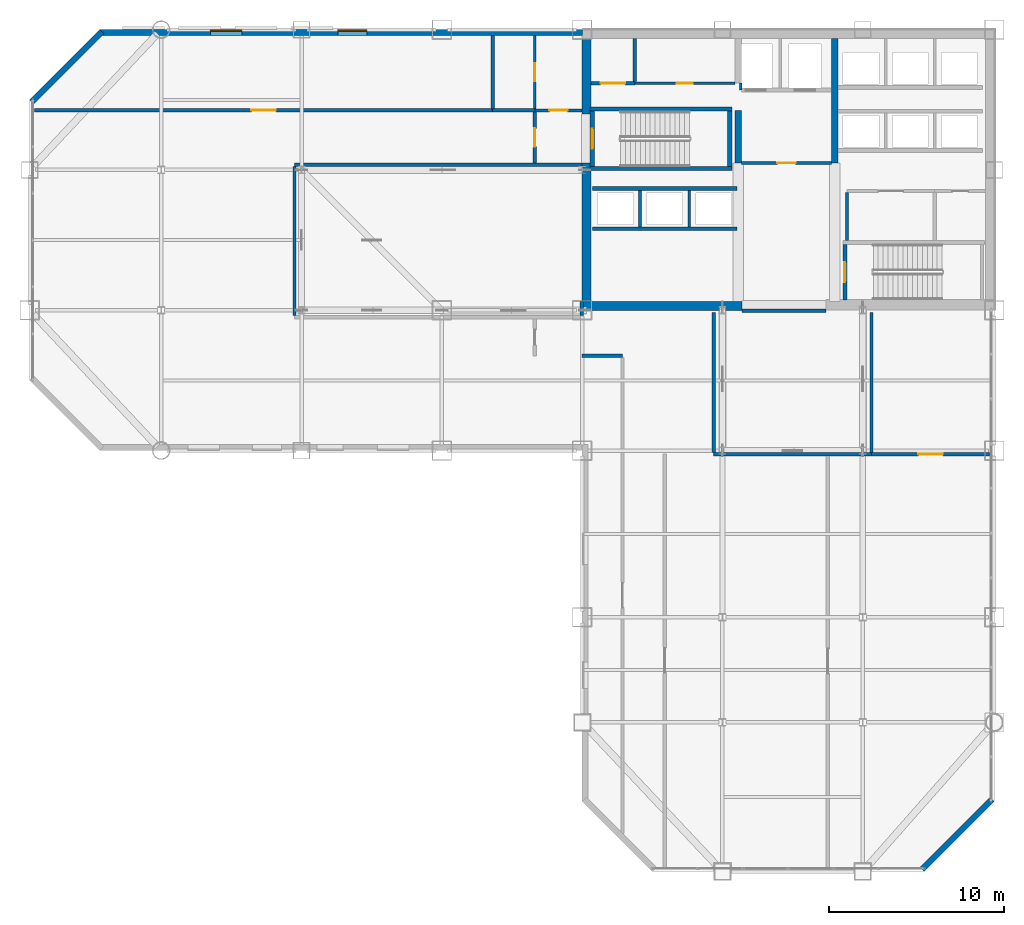
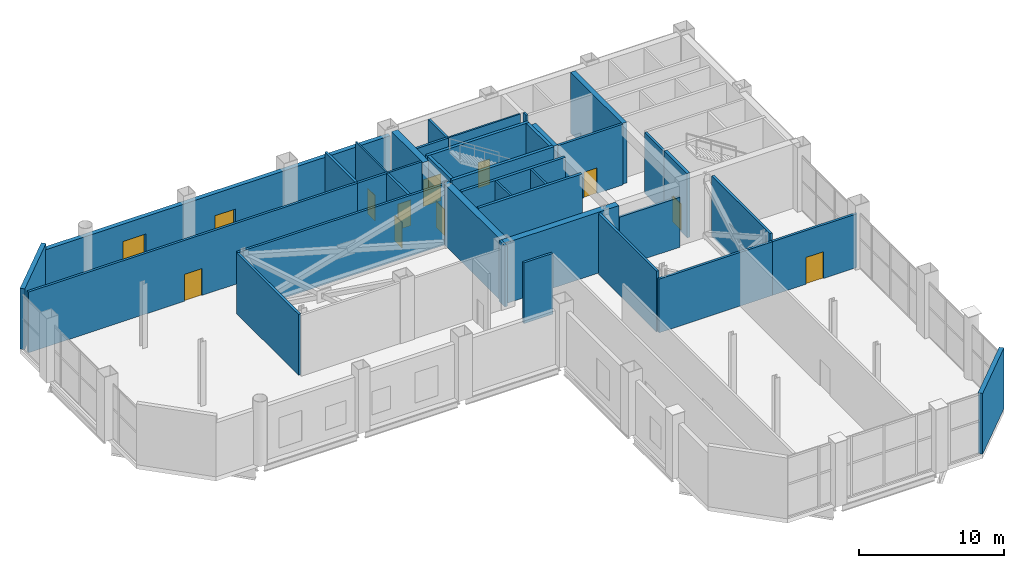
# One storey, part 21 of 24: 38 walls, 10 doors, 2 windows, 12 openings.
"""IFC4 building model written with IfcOpenShell, lengths in metres."""

from ifc_helpers import new_model, si_unit, direction, frame, frame_2d, origin, place, context, subcontext, project, spatial, rectangle, extrude, material, layer, layer_set, type_object, element, fill, save


model = new_model("IFC4")

# Units and contexts
model_context = context("Model", 3, precision=1e-05, world=origin(), true_north=direction((0.0, 1.0)))
body_context = subcontext(model_context, "Body", "Model", "MODEL_VIEW")
ifc_project = project(units=[si_unit("LENGTHUNIT", "METRE"), si_unit("AREAUNIT", "SQUARE_METRE"), si_unit("VOLUMEUNIT", "CUBIC_METRE"), si_unit("PLANEANGLEUNIT", "RADIAN"), si_unit("MASSUNIT", "GRAM", prefix="KILO")], contexts=[model_context])

# Site, building, storey
site_placement = place(None, origin())
site = spatial("IfcSite", under=ifc_project, at=site_placement, CompositionType="ELEMENT")
building_placement = place(site_placement, origin())
building = spatial("IfcBuilding", under=site, at=building_placement, Name="Qianrong Seaharbour Tower", CompositionType="ELEMENT")
storey_placement = place(building_placement, frame((0.0, 0.0, 195.0)))
storey = spatial("IfcBuildingStorey", under=building, at=storey_placement, Name="L47", CompositionType="ELEMENT", Elevation=195.0)

# Walls
ifc_material_1 = material(Name="Concrete C60/75", Category="concrete")
ifc_layer_1 = layer(ifc_material_1, 0.5)
ifc_layer_set_1 = layer_set([ifc_layer_1], Name="Concrete C60/75")
wall_type_1 = type_object("IfcWallType", Name="WALL-CORE-500", PredefinedType="SHEAR", material=ifc_layer_set_1)
wall_1_placement = place(storey_placement, frame((40.75, 36.5, 0.0), z_axis=(0.0, 0.0, 1.0), x_axis=(0.0, 1.0, 0.0)))
element("IfcWall", 1, at=wall_1_placement, inside=storey, type_object=wall_type_1, Name="L47 West Core Shear Wall South", PredefinedType="SHEAR", context=body_context, shape_type="SweptSolid", body=[
    extrude(rectangle(XDim=7.89990234375, YDim=0.5, at=frame_2d((3.949951171875, 0.0))), origin(), (0.0, 0.0, 1.0), 5.10009765625),
])
wall_2_placement = place(storey_placement, frame((40.75, 47.199951171875, 0.0), z_axis=(0.0, 0.0, 1.0), x_axis=(0.0, 1.0, 0.0)))
element("IfcWall", 2, at=wall_2_placement, inside=storey, type_object=wall_type_1, Name="L47 West Core Shear Wall North", PredefinedType="SHEAR", context=body_context, shape_type="SweptSolid", body=[
    extrude(rectangle(XDim=4.300048828125, YDim=0.5, at=frame_2d((2.14990234375, 0.0))), origin(), (0.0, 0.0, 1.0), 5.10009765625),
])
wall_3_placement = place(storey_placement, frame((40.5, 36.25, 0.0), z_axis=(0.0, 0.0, 1.0), x_axis=(1.0, 0.0, 0.0)))
element("IfcWall", 3, at=wall_3_placement, inside=storey, type_object=wall_type_1, Name="L47 South Core Shear Wall S1", PredefinedType="SHEAR", context=body_context, shape_type="SweptSolid", body=[
    extrude(rectangle(XDim=9.10009765625, YDim=0.5, at=frame_2d((4.550048828125, 0.0))), origin(), (0.0, 0.0, 1.0), 5.10009765625),
])
ifc_layer_2 = layer(ifc_material_1, 0.3798828125)
ifc_layer_set_2 = layer_set([ifc_layer_2], Name="Concrete C60/75")
wall_type_2 = type_object("IfcWallType", Name="WALL-CORE-INT-380", PredefinedType="SHEAR", material=ifc_layer_set_2)
wall_4_placement = place(storey_placement, frame((49.39990234375, 44.39990234375, 0.0), z_axis=(0.0, 0.0, 1.0), x_axis=(0.0, 1.0, 0.0)))
element("IfcWall", 4, at=wall_4_placement, inside=storey, type_object=wall_type_2, Name="L47 Internal Core Shear Wall IW1N1", PredefinedType="SHEAR", context=body_context, shape_type="SweptSolid", body=[
    extrude(rectangle(XDim=3.0, YDim=0.3798828125, at=frame_2d((1.5, 0.0))), origin(), (0.0, 0.0, 1.0), 5.10009765625),
])
wall_5_placement = place(storey_placement, frame((54.89990234375, 44.39990234375, 0.0), z_axis=(0.0, 0.0, 1.0), x_axis=(0.0, 1.0, 0.0)))
element("IfcWall", 5, at=wall_5_placement, inside=storey, type_object=wall_type_2, Name="L47 Internal Core Shear Wall IW2N", PredefinedType="SHEAR", context=body_context, shape_type="SweptSolid", body=[
    extrude(rectangle(XDim=7.10009765625, YDim=0.3798828125, at=frame_2d((3.550048828125, 0.0))), origin(), (0.0, 0.0, 1.0), 5.10009765625),
])

# Wall, opening, door
ifc_material_2 = material(Name="Fire-rated acoustic gypsum board partition")
ifc_layer_3 = layer(ifc_material_2, 0.1650390625)
ifc_layer_set_3 = layer_set([ifc_layer_3], Name="Fire-rated acoustic gypsum board partition")
wall_type_3 = type_object("IfcWallType", Name="WALL-CORR-PART-165", PredefinedType="PARTITIONING", material=ifc_layer_set_3)
wall_6_placement = place(storey_placement, frame((37.800048828125, 47.39990234375, 0.0), z_axis=(0.0, 0.0, 1.0), x_axis=(1.0, 0.0, 0.0)))
wall_6 = element("IfcWall", 6, at=wall_6_placement, inside=storey, type_object=wall_type_3, Name="L47 Interior Partition Wall 001", PredefinedType="PARTITIONING", context=body_context, shape_type="SweptSolid", body=[
    extrude(rectangle(XDim=2.699951171875, YDim=0.1650390625, at=frame_2d((1.35009765625, 0.0))), origin(), (0.0, 0.0, 1.0), 5.10009765625),
])
opening_1_placement = place(wall_6_placement, frame((0.824951171875, 0.0, 0.0)))
opening_1 = element("IfcOpeningElement", 7, at=opening_1_placement, cuts=wall_6, Name="Opening DC-01", PredefinedType="OPENING", context=body_context, shape_type="SweptSolid", body=[
    extrude(rectangle(XDim=1.050048828125, YDim=2.14990234375, at=frame_2d((0.52490234375, 1.074951171875))), frame((0.0, 0.092529296875, 0.0), z_axis=(0.0, -1.0, 0.0), x_axis=(1.0, 0.0, 0.0)), (0.0, 0.0, 1.0), 0.18505859375),
])
ifc_material_3 = material(Name="Acoustic timber and galvanized steel fire door assembly", Category="steel")
door_type_1 = type_object("IfcDoorType", Name="DOOR-CORR-FD60-1050x2150", OperationType="NOTDEFINED", PredefinedType="DOOR", material=ifc_material_3)
door_1_placement = place(opening_1_placement, origin())
door_1 = element("IfcDoor", 8, at=door_1_placement, inside=storey, type_object=door_type_1, Name="L47 Smokeproof Stair Vestibule ST-1 Door", OperationType="SINGLE_SWING_LEFT", OverallHeight=2.14990234375, OverallWidth=1.050048828125, PredefinedType="DOOR", context=body_context, shape_type="SweptSolid", body=[
    extrude(rectangle(XDim=1.050048828125, YDim=2.14990234375, at=frame_2d((0.52490234375, 1.074951171875))), frame((0.0, 0.02490234375, 0.0), z_axis=(0.0, -1.0, 0.0), x_axis=(1.0, 0.0, 0.0)), (0.0, 0.0, 1.0), 0.050048828125),
])
fill(opening_1, door_1)

# Wall
ifc_material_4 = material(Name="Unitised buff brick on Precast concrete C45/55", Category="masonry")
ifc_layer_4 = layer(ifc_material_4, 0.340087890625)
ifc_layer_set_4 = layer_set([ifc_layer_4], Name="Unitised buff brick on Precast concrete C45/55")
wall_type_4 = type_object("IfcWallType", Name="WALL-EXT-BRICK-BUFF-340", PredefinedType="SOLIDWALL", material=ifc_layer_set_4)
wall_7_placement = place(storey_placement, frame((9.1201171875, 47.8798828125, 0.0), z_axis=(0.0, 0.0, 1.0), x_axis=(0.707106781187, 0.707106781187, 0.0)))
element("IfcWall", 9, at=wall_7_placement, inside=storey, type_object=wall_type_4, Name="L47 Exterior Masonry Facade Wall E04", PredefinedType="SOLIDWALL", context=body_context, shape_type="SweptSolid", body=[
    extrude(rectangle(XDim=5.65673828125, YDim=0.340087890625, at=frame_2d((2.828369140625, 0.0))), origin(), (0.0, 0.0, 1.0), 5.10009765625),
])

# Wall, openings, windows
wall_8_placement = place(storey_placement, frame((13.0, 51.830078125, 0.0), z_axis=(0.0, 0.0, 1.0), x_axis=(1.0, 0.0, 0.0)))
wall_8 = element("IfcWall", 10, at=wall_8_placement, inside=storey, type_object=wall_type_4, Name="L47 Exterior Masonry Facade Wall NORTH_WING", PredefinedType="SOLIDWALL", context=body_context, shape_type="SweptSolid", body=[
    extrude(rectangle(XDim=27.52001953125, YDim=0.340087890625, at=frame_2d((13.760009765625, 0.0))), origin(), (0.0, 0.0, 1.0), 4.64990234375),
])
opening_2_placement = place(wall_8_placement, frame((6.300048828125, 0.0, 0.64990234375)))
opening_2 = element("IfcOpeningElement", 11, at=opening_2_placement, cuts=wall_8, Name="Opening WN-09", PredefinedType="OPENING", context=body_context, shape_type="SweptSolid", body=[
    extrude(rectangle(XDim=1.800048828125, YDim=2.550048828125, at=frame_2d((0.89990234375, 1.27490234375))), frame((0.0, 0.18017578125, 0.0), z_axis=(0.0, -1.0, 0.0), x_axis=(1.0, 0.0, 0.0)), (0.0, 0.0, 1.0), 0.360107421875),
])
opening_3_placement = place(wall_8_placement, frame((13.574951171875, 0.0, 0.85009765625)))
opening_3 = element("IfcOpeningElement", 12, at=opening_3_placement, cuts=wall_8, Name="Opening WN-04", PredefinedType="OPENING", context=body_context, shape_type="SweptSolid", body=[
    extrude(rectangle(XDim=1.64990234375, YDim=1.949951171875, at=frame_2d((0.824951171875, 0.97509765625))), frame((0.0, 0.18017578125, 0.0), z_axis=(0.0, -1.0, 0.0), x_axis=(1.0, 0.0, 0.0)), (0.0, 0.0, 1.0), 0.360107421875),
])
ifc_material_5 = material(Name="Insulated low-e double glazing in thermally broken aluminium 6063-T6 frame", Category="aluminium")
window_type_1 = type_object("IfcWindowType", Name="WIN-PUNCH-1650x1950", PartitioningType="DOUBLE_PANEL_VERTICAL", PredefinedType="WINDOW", material=ifc_material_5)
window_1_placement = place(opening_3_placement, origin())
window_1 = element("IfcWindow", 13, at=window_1_placement, inside=storey, type_object=window_type_1, Name="L47 Deep-Set Punched Window 05.04", OverallHeight=1.949951171875, OverallWidth=1.64990234375, PartitioningType="DOUBLE_PANEL_VERTICAL", PredefinedType="WINDOW", context=body_context, shape_type="SweptSolid", body=[
    extrude(rectangle(XDim=1.64990234375, YDim=1.949951171875, at=frame_2d((0.824951171875, 0.97509765625))), frame((0.0, 0.150146484375, 0.0), z_axis=(0.0, -1.0, 0.0), x_axis=(1.0, 0.0, 0.0)), (0.0, 0.0, 1.0), 0.06005859375),
])
fill(opening_3, window_1)
window_type_2 = type_object("IfcWindowType", Name="WIN-PUNCH-1800x2550", PartitioningType="TRIPLE_PANEL_VERTICAL", PredefinedType="WINDOW", material=ifc_material_5)
window_2_placement = place(opening_2_placement, origin())
window_2 = element("IfcWindow", 14, at=window_2_placement, inside=storey, type_object=window_type_2, Name="L47 Deep-Set Punched Window 05.02", OverallHeight=2.550048828125, OverallWidth=1.800048828125, PartitioningType="TRIPLE_PANEL_VERTICAL", PredefinedType="WINDOW", context=body_context, shape_type="SweptSolid", body=[
    extrude(rectangle(XDim=1.800048828125, YDim=2.550048828125, at=frame_2d((0.89990234375, 1.27490234375))), frame((0.0, 0.150146484375, 0.0), z_axis=(0.0, -1.0, 0.0), x_axis=(1.0, 0.0, 0.0)), (0.0, 0.0, 1.0), 0.06005859375),
])
fill(opening_2, window_2)

# Walls
wall_9_placement = place(storey_placement, frame((63.8798828125, 8.1201171875, 0.0), z_axis=(0.0, 0.0, 1.0), x_axis=(-0.707106781187, -0.707106781187, 0.0)))
element("IfcWall", 15, at=wall_9_placement, inside=storey, type_object=wall_type_4, Name="L47 Exterior Masonry Facade Wall E07", PredefinedType="SOLIDWALL", context=body_context, shape_type="SweptSolid", body=[
    extrude(rectangle(XDim=5.65673828125, YDim=0.340087890625, at=frame_2d((2.828369140625, 0.0))), origin(), (0.0, 0.0, 1.0), 5.10009765625),
])
ifc_material_6 = material(Name="Double fire-rated gypsum board acoustic partition")
ifc_layer_5 = layer(ifc_material_6, 0.18994140625)
ifc_layer_set_5 = layer_set([ifc_layer_5], Name="Double fire-rated gypsum board acoustic partition")
wall_type_5 = type_object("IfcWallType", Name="WALL-FIRE-PART-190", PredefinedType="PARTITIONING", material=ifc_layer_set_5)
wall_10_placement = place(storey_placement, frame((24.10009765625, 44.300048828125, 0.0), z_axis=(0.0, 0.0, 1.0), x_axis=(1.0, 0.0, 0.0)))
element("IfcWall", 16, at=wall_10_placement, inside=storey, type_object=wall_type_5, Name="L47 Outrigger Truss Zone Fire Enclosure Wall N", PredefinedType="PARTITIONING", context=body_context, shape_type="SweptSolid", body=[
    extrude(rectangle(XDim=16.3798828125, YDim=0.18994140625, at=frame_2d((8.18994140625, 0.0))), origin(), (0.0, 0.0, 1.0), 5.10009765625),
])
wall_11_placement = place(storey_placement, frame((24.10009765625, 35.695068359375, 0.0), z_axis=(0.0, 0.0, 1.0), x_axis=(0.0, 1.0, 0.0)))
element("IfcWall", 17, at=wall_11_placement, inside=storey, type_object=wall_type_5, Name="L47 Outrigger Truss Zone Fire Enclosure Wall W", PredefinedType="PARTITIONING", context=body_context, shape_type="SweptSolid", body=[
    extrude(rectangle(XDim=8.510009765625, YDim=0.18994140625, at=frame_2d((4.2548828125, 0.0))), origin(), (0.0, 0.0, 1.0), 5.10009765625),
])
wall_12_placement = place(storey_placement, frame((40.47998046875, 36.5, 0.0), z_axis=(0.0, 0.0, 1.0), x_axis=(0.0, -1.0, 0.0)))
element("IfcWall", 18, at=wall_12_placement, inside=storey, type_object=wall_type_5, Name="L47 Outrigger Truss Zone Fire Enclosure Wall E", PredefinedType="PARTITIONING", context=body_context, shape_type="SweptSolid", body=[
    extrude(rectangle(XDim=0.804931640625, YDim=0.18994140625, at=frame_2d((0.40234375, 0.0))), origin(), (0.0, 0.0, 1.0), 5.10009765625),
])
wall_13_placement = place(storey_placement, frame((49.60009765625, 35.97998046875, 0.0), z_axis=(0.0, 0.0, 1.0), x_axis=(1.0, 0.0, 0.0)))
element("IfcWall", 19, at=wall_13_placement, inside=storey, type_object=wall_type_5, Name="L47 Outrigger Truss Zone Fire Enclosure Wall N", PredefinedType="PARTITIONING", context=body_context, shape_type="SweptSolid", body=[
    extrude(rectangle(XDim=4.7998046875, YDim=0.18994140625, at=frame_2d((2.39990234375, 0.0))), origin(), (0.0, 0.0, 1.0), 4.19189453125),
])
wall_14_placement = place(storey_placement, frame((57.0, 27.800048828125, 0.0), z_axis=(0.0, 0.0, 1.0), x_axis=(-1.0, 0.0, 0.0)))
element("IfcWall", 20, at=wall_14_placement, inside=storey, type_object=wall_type_5, Name="L47 Outrigger Truss Zone Fire Enclosure Wall S", PredefinedType="PARTITIONING", context=body_context, shape_type="SweptSolid", body=[
    extrude(rectangle(XDim=9.0, YDim=0.18994140625, at=frame_2d((4.5, 0.0))), origin(), (0.0, 0.0, 1.0), 4.50390625),
])
for number, where, z_axis, x_axis, name in (
    (21, (48.0, 27.89501953125, 0.0), (0.0, 0.0, 1.0), (0.0, 1.0, 0.0), "L47 Outrigger Truss Zone Fire Enclosure Wall W"),
    (22, (57.0, 35.885009765625, 0.0), (0.0, 0.0, 1.0), (0.0, -1.0, 0.0), "L47 Outrigger Truss Zone Fire Enclosure Wall E"),
):
    element("IfcWall", number, at=place(storey_placement, frame(where, z_axis=z_axis, x_axis=x_axis)), inside=storey, type_object=wall_type_5, Name=name, PredefinedType="PARTITIONING", context=body_context, shape_type="SweptSolid", body=[
        extrude(rectangle(XDim=7.989990234375, YDim=0.18994140625, at=frame_2d((3.9951171875, 0.0))), origin(), (0.0, 0.0, 1.0), 5.10009765625),
    ])

# Wall, opening, door
wall_15_placement = place(storey_placement, frame((37.800048828125, 44.386962890625, 0.0), z_axis=(0.0, 0.0, 1.0), x_axis=(0.0, 1.0, 0.0)))
wall_15 = element("IfcWall", 23, at=wall_15_placement, inside=storey, type_object=wall_type_5, Name="L47 Interior Partition Wall 002", PredefinedType="PARTITIONING", context=body_context, shape_type="SweptSolid", body=[
    extrude(rectangle(XDim=2.926025390625, YDim=0.18994140625, at=frame_2d((1.462890625, 0.0))), origin(), (0.0, 0.0, 1.0), 5.10009765625),
])
opening_4_placement = place(wall_15_placement, frame((0.93798828125, 0.0, 0.0)))
opening_4 = element("IfcOpeningElement", 24, at=opening_4_placement, cuts=wall_15, Name="Opening DC-01", PredefinedType="OPENING", context=body_context, shape_type="SweptSolid", body=[
    extrude(rectangle(XDim=1.050048828125, YDim=2.14990234375, at=frame_2d((0.52490234375, 1.074951171875))), frame((0.0, 0.10498046875, 0.0), z_axis=(0.0, -1.0, 0.0), x_axis=(1.0, 0.0, 0.0)), (0.0, 0.0, 1.0), 0.2099609375),
])
door_2_placement = place(opening_4_placement, origin())
door_2 = element("IfcDoor", 25, at=door_2_placement, inside=storey, type_object=door_type_1, Name="L47 Smokeproof Stair Vestibule ST-1 Door", OperationType="SINGLE_SWING_RIGHT", OverallHeight=2.14990234375, OverallWidth=1.050048828125, PredefinedType="DOOR", context=body_context, shape_type="SweptSolid", body=[
    extrude(rectangle(XDim=1.050048828125, YDim=2.14990234375, at=frame_2d((0.52490234375, 1.074951171875))), frame((0.0, 0.02490234375, 0.0), z_axis=(0.0, -1.0, 0.0), x_axis=(1.0, 0.0, 0.0)), (0.0, 0.0, 1.0), 0.050048828125),
])
fill(opening_4, door_2)

# Walls
wall_16_placement = place(storey_placement, frame((37.800048828125, 47.39990234375, 0.0), z_axis=(0.0, 0.0, 1.0), x_axis=(-1.0, 0.0, 0.0)))
element("IfcWall", 26, at=wall_16_placement, inside=storey, type_object=wall_type_5, Name="L47 Interior Partition Wall 004", PredefinedType="PARTITIONING", context=body_context, shape_type="SweptSolid", body=[
    extrude(rectangle(XDim=2.400146484375, YDim=0.18994140625, at=frame_2d((1.2001953125, 0.0))), origin(), (0.0, 0.0, 1.0), 5.10009765625),
])
wall_17_placement = place(storey_placement, frame((35.39990234375, 47.487060546875, 0.0), z_axis=(0.0, 0.0, 1.0), x_axis=(0.0, 1.0, 0.0)))
element("IfcWall", 27, at=wall_17_placement, inside=storey, type_object=wall_type_5, Name="L47 Interior Partition Wall 005", PredefinedType="PARTITIONING", context=body_context, shape_type="SweptSolid", body=[
    extrude(rectangle(XDim=4.180908203125, YDim=0.18994140625, at=frame_2d((2.09033203125, 0.0))), origin(), (0.0, 0.0, 1.0), 5.10009765625),
])

# Wall, opening, door
wall_18_placement = place(storey_placement, frame((41.0, 48.949951171875, 0.0), z_axis=(0.0, 0.0, 1.0), x_axis=(1.0, 0.0, 0.0)))
wall_18 = element("IfcWall", 28, at=wall_18_placement, inside=storey, type_object=wall_type_5, Name="L47 Interior Partition Wall 006", PredefinedType="PARTITIONING", context=body_context, shape_type="SweptSolid", body=[
    extrude(rectangle(XDim=2.5, YDim=0.18994140625, at=frame_2d((1.25, 0.0))), origin(), (0.0, 0.0, 1.0), 5.10009765625),
])
opening_5_placement = place(wall_18_placement, frame((0.550048828125, 0.0, 0.0)))
opening_5 = element("IfcOpeningElement", 29, at=opening_5_placement, cuts=wall_18, Name="Opening DP-01", PredefinedType="OPENING", context=body_context, shape_type="SweptSolid", body=[
    extrude(rectangle(XDim=1.39990234375, YDim=2.25, at=frame_2d((0.699951171875, 1.125))), frame((0.0, 0.10498046875, 0.0), z_axis=(0.0, -1.0, 0.0), x_axis=(1.0, 0.0, 0.0)), (0.0, 0.0, 1.0), 0.2099609375),
])
door_type_2 = type_object("IfcDoorType", Name="DOOR-PLANT-PAIR-1400x2250", OperationType="DOUBLE_DOOR_SINGLE_SWING", PredefinedType="DOOR", material=ifc_material_3)
door_3_placement = place(opening_5_placement, origin())
door_3 = element("IfcDoor", 30, at=door_3_placement, inside=storey, type_object=door_type_2, Name="L47 Core Electrical Closet Door", OperationType="DOUBLE_DOOR_SINGLE_SWING", OverallHeight=2.25, OverallWidth=1.39990234375, PredefinedType="DOOR", context=body_context, shape_type="SweptSolid", body=[
    extrude(rectangle(XDim=1.39990234375, YDim=2.25, at=frame_2d((0.699951171875, 1.125))), frame((0.0, 0.02490234375, 0.0), z_axis=(0.0, -1.0, 0.0), x_axis=(1.0, 0.0, 0.0)), (0.0, 0.0, 1.0), 0.050048828125),
])
fill(opening_5, door_3)

wall_19_placement = place(storey_placement, frame((54.718017578125, 44.39990234375, 0.0), z_axis=(0.0, 0.0, 1.0), x_axis=(-1.0, 0.0, 0.0)))
wall_19 = element("IfcWall", 31, at=wall_19_placement, inside=storey, type_object=wall_type_5, Name="L47 Interior Partition Wall 008", PredefinedType="PARTITIONING", context=body_context, shape_type="SweptSolid", body=[
    extrude(rectangle(XDim=5.135986328125, YDim=0.18994140625, at=frame_2d((2.56787109375, 0.0))), origin(), (0.0, 0.0, 1.0), 5.10009765625),
])
opening_6_placement = place(wall_19_placement, frame((2.04296875, 0.0, 0.0)))
opening_6 = element("IfcOpeningElement", 32, at=opening_6_placement, cuts=wall_19, Name="Opening DC-01", PredefinedType="OPENING", context=body_context, shape_type="SweptSolid", body=[
    extrude(rectangle(XDim=1.050048828125, YDim=2.14990234375, at=frame_2d((0.52490234375, 1.074951171875))), frame((0.0, 0.10498046875, 0.0), z_axis=(0.0, -1.0, 0.0), x_axis=(1.0, 0.0, 0.0)), (0.0, 0.0, 1.0), 0.2099609375),
])
door_4_placement = place(opening_6_placement, origin())
door_4 = element("IfcDoor", 33, at=door_4_placement, inside=storey, type_object=door_type_1, Name="L47 Firefighting Lift Lobby Door", OperationType="SINGLE_SWING_LEFT", OverallHeight=2.14990234375, OverallWidth=1.050048828125, PredefinedType="DOOR", context=body_context, shape_type="SweptSolid", body=[
    extrude(rectangle(XDim=1.050048828125, YDim=2.14990234375, at=frame_2d((0.52490234375, 1.074951171875))), frame((0.0, 0.02490234375, 0.0), z_axis=(0.0, -1.0, 0.0), x_axis=(1.0, 0.0, 0.0)), (0.0, 0.0, 1.0), 0.050048828125),
])
fill(opening_6, door_4)

# Walls
wall_20_placement = place(storey_placement, frame((55.60009765625, 42.712890625, 0.0), z_axis=(0.0, 0.0, 1.0), x_axis=(0.0, -1.0, 0.0)))
element("IfcWall", 34, at=wall_20_placement, inside=storey, type_object=wall_type_5, Name="L47 Interior Partition Wall 009", PredefinedType="PARTITIONING", context=body_context, shape_type="SweptSolid", body=[
    extrude(rectangle(XDim=2.73095703125, YDim=0.18994140625, at=frame_2d((1.365478515625, 0.0))), origin(), (0.0, 0.0, 1.0), 5.10009765625),
])
wall_21_placement = place(storey_placement, frame((43.5, 51.5, 0.0), z_axis=(0.0, 0.0, 1.0), x_axis=(0.0, -1.0, 0.0)))
element("IfcWall", 35, at=wall_21_placement, inside=storey, type_object=wall_type_5, Name="L47 Interior Partition Wall 012", PredefinedType="PARTITIONING", context=body_context, shape_type="SweptSolid", body=[
    extrude(rectangle(XDim=2.462890625, YDim=0.18994140625, at=frame_2d((1.2314453125, 0.0))), origin(), (0.0, 0.0, 1.0), 5.10009765625),
])

# Wall, opening, door
wall_22_placement = place(storey_placement, frame((9.27197265625, 47.39990234375, 0.0), z_axis=(0.0, 0.0, 1.0), x_axis=(1.0, 0.0, 0.0)))
wall_22 = element("IfcWall", 36, at=wall_22_placement, inside=storey, type_object=wall_type_5, Name="L47 Interior Partition Wall 015", PredefinedType="PARTITIONING", context=body_context, shape_type="SweptSolid", body=[
    extrude(rectangle(XDim=26.1279296875, YDim=0.18994140625, at=frame_2d((13.06396484375, 0.0))), origin(), (0.0, 0.0, 1.0), 5.10009765625),
])
opening_7_placement = place(wall_22_placement, frame((12.364013671875, 0.0, 0.0)))
opening_7 = element("IfcOpeningElement", 37, at=opening_7_placement, cuts=wall_22, Name="Opening DP-01", PredefinedType="OPENING", context=body_context, shape_type="SweptSolid", body=[
    extrude(rectangle(XDim=1.39990234375, YDim=2.25, at=frame_2d((0.699951171875, 1.125))), frame((0.0, 0.10498046875, 0.0), z_axis=(0.0, -1.0, 0.0), x_axis=(1.0, 0.0, 0.0)), (0.0, 0.0, 1.0), 0.2099609375),
])
door_5_placement = place(opening_7_placement, origin())
door_5 = element("IfcDoor", 38, at=door_5_placement, inside=storey, type_object=door_type_2, Name="L47 Chiller Plant Room Door", OperationType="DOUBLE_DOOR_SINGLE_SWING", OverallHeight=2.25, OverallWidth=1.39990234375, PredefinedType="DOOR", context=body_context, shape_type="SweptSolid", body=[
    extrude(rectangle(XDim=1.39990234375, YDim=2.25, at=frame_2d((0.699951171875, 1.125))), frame((0.0, 0.02490234375, 0.0), z_axis=(0.0, -1.0, 0.0), x_axis=(1.0, 0.0, 0.0)), (0.0, 0.0, 1.0), 0.050048828125),
])
fill(opening_7, door_5)

# Wall
wall_23_placement = place(storey_placement, frame((42.800048828125, 33.39990234375, 0.0), z_axis=(0.0, 0.0, 1.0), x_axis=(-1.0, 0.0, 0.0)))
element("IfcWall", 39, at=wall_23_placement, inside=storey, type_object=wall_type_5, Name="L47 Interior Partition Wall 016", PredefinedType="PARTITIONING", context=body_context, shape_type="SweptSolid", body=[
    extrude(rectangle(XDim=2.300048828125, YDim=0.18994140625, at=frame_2d((1.14990234375, 0.0))), origin(), (0.0, 0.0, 1.0), 5.10009765625),
])

# Wall, opening, door
wall_24_placement = place(storey_placement, frame((57.0, 27.800048828125, 0.0), z_axis=(0.0, 0.0, 1.0), x_axis=(1.0, 0.0, 0.0)))
wall_24 = element("IfcWall", 40, at=wall_24_placement, inside=storey, type_object=wall_type_5, Name="L47 Interior Partition Wall 020", PredefinedType="PARTITIONING", context=body_context, shape_type="SweptSolid", body=[
    extrude(rectangle(XDim=6.72802734375, YDim=0.18994140625, at=frame_2d((3.364013671875, 0.0))), origin(), (0.0, 0.0, 1.0), 4.50390625),
])
opening_8_placement = place(wall_24_placement, frame((2.6640625, 0.0, 0.0)))
opening_8 = element("IfcOpeningElement", 41, at=opening_8_placement, cuts=wall_24, Name="Opening DP-01", PredefinedType="OPENING", context=body_context, shape_type="SweptSolid", body=[
    extrude(rectangle(XDim=1.39990234375, YDim=2.25, at=frame_2d((0.699951171875, 1.125))), frame((0.0, 0.10498046875, 0.0), z_axis=(0.0, -1.0, 0.0), x_axis=(1.0, 0.0, 0.0)), (0.0, 0.0, 1.0), 0.2099609375),
])
door_6_placement = place(opening_8_placement, origin())
door_6 = element("IfcDoor", 42, at=door_6_placement, inside=storey, type_object=door_type_2, Name="L47 Mechanical Plant Room Door", OperationType="DOUBLE_DOOR_SINGLE_SWING", OverallHeight=2.25, OverallWidth=1.39990234375, PredefinedType="DOOR", context=body_context, shape_type="SweptSolid", body=[
    extrude(rectangle(XDim=1.39990234375, YDim=2.25, at=frame_2d((0.699951171875, 1.125))), frame((0.0, 0.02490234375, 0.0), z_axis=(0.0, -1.0, 0.0), x_axis=(1.0, 0.0, 0.0)), (0.0, 0.0, 1.0), 0.050048828125),
])
fill(opening_8, door_6)

# Walls
ifc_material_7 = material(Name="Fire-rated gypsum board on steel studs", Category="steel")
ifc_layer_6 = layer(ifc_material_7, 0.14990234375)
ifc_layer_set_6 = layer_set([ifc_layer_6], Name="Fire-rated gypsum board on steel studs")
wall_type_6 = type_object("IfcWallType", Name="WALL-SHAFT-DIV-150", PredefinedType="PARTITIONING", material=ifc_layer_set_6)
wall_25_placement = place(storey_placement, frame((49.550048828125, 48.550048828125, 0.0), z_axis=(0.0, 0.0, 1.0), x_axis=(0.0, 1.0, 0.0)))
element("IfcWall", 43, at=wall_25_placement, inside=storey, type_object=wall_type_6, Name="L47 Firefighting Lift Shaft West Return Wall", PredefinedType="PARTITIONING", context=body_context, shape_type="SweptSolid", body=[
    extrude(rectangle(XDim=0.39990234375, YDim=0.14990234375, at=frame_2d((0.199951171875, 0.0))), origin(), (0.0, 0.0, 1.0), 5.10009765625),
])
for number, where, z_axis, x_axis, name in (
    (44, (43.800048828125, 40.760009765625, 0.0), (0.0, 0.0, 1.0), (0.0, 1.0, 0.0), "L47 P2 Lift Hoistway Divider 2"),
    (45, (46.60009765625, 40.760009765625, 0.0), (0.0, 0.0, 1.0), (0.0, 1.0, 0.0), "L47 P2 Lift Hoistway Divider 3"),
):
    element("IfcWall", number, at=place(storey_placement, frame(where, z_axis=z_axis, x_axis=x_axis)), inside=storey, type_object=wall_type_6, Name=name, PredefinedType="PARTITIONING", context=body_context, shape_type="SweptSolid", body=[
        extrude(rectangle(XDim=2.080078125, YDim=0.14990234375, at=frame_2d((1.0400390625, 0.0))), origin(), (0.0, 0.0, 1.0), 5.10009765625),
    ])
ifc_layer_7 = layer(ifc_material_7, 0.219970703125)
ifc_layer_set_7 = layer_set([ifc_layer_7], Name="Fire-rated gypsum board on steel studs")
wall_type_7 = type_object("IfcWallType", Name="WALL-SHAFT-GYP220", PredefinedType="PARTITIONING", material=ifc_layer_set_7)
for number, where, z_axis, x_axis, name in (
    (46, (49.320068359375, 40.64990234375, 0.0), (0.0, 0.0, 1.0), (-1.0, 0.0, 0.0), "L47 P2 Lift Hoistway Front Wall"),
    (47, (41.080078125, 42.949951171875, 0.0), (0.0, 0.0, 1.0), (1.0, 0.0, 0.0), "L47 P2 Lift Hoistway Back Wall"),
):
    element("IfcWall", number, at=place(storey_placement, frame(where, z_axis=z_axis, x_axis=x_axis)), inside=storey, type_object=wall_type_7, Name=name, PredefinedType="PARTITIONING", context=body_context, shape_type="SweptSolid", body=[
        extrude(rectangle(XDim=8.239990234375, YDim=0.219970703125, at=frame_2d((4.1201171875, 0.0))), origin(), (0.0, 0.0, 1.0), 5.10009765625),
    ])
ifc_material_8 = material(Name="Concrete C50/60", Category="concrete")
ifc_layer_8 = layer(ifc_material_8, 0.239990234375)
ifc_layer_set_8 = layer_set([ifc_layer_8], Name="Concrete C50/60")
wall_type_8 = type_object("IfcWallType", Name="WALL-SHAFT-RC240", PredefinedType="SOLIDWALL", material=ifc_layer_set_8)
for number, where, z_axis, x_axis, name in (
    (48, (40.9599609375, 47.469970703125, 0.0), (0.0, 0.0, 1.0), (1.0, 0.0, 0.0), "L47 ST-1 Structural Stair Core Wall N"),
    (49, (49.0400390625, 44.080078125, 0.0), (0.0, 0.0, 1.0), (-1.0, 0.0, 0.0), "L47 ST-1 Structural Stair Core Wall S"),
):
    element("IfcWall", number, at=place(storey_placement, frame(where, z_axis=z_axis, x_axis=x_axis)), inside=storey, type_object=wall_type_8, Name=name, PredefinedType="SOLIDWALL", context=body_context, shape_type="SweptSolid", body=[
        extrude(rectangle(XDim=8.080078125, YDim=0.239990234375, at=frame_2d((4.0400390625, 0.0))), origin(), (0.0, 0.0, 1.0), 5.39990234375),
    ])

# Wall, opening, door
wall_26_placement = place(storey_placement, frame((41.080078125, 47.35009765625, 0.0), z_axis=(0.0, 0.0, 1.0), x_axis=(0.0, -1.0, 0.0)))
wall_26 = element("IfcWall", 50, at=wall_26_placement, inside=storey, type_object=wall_type_8, Name="L47 ST-1 Structural Stair Core Wall W", PredefinedType="SOLIDWALL", context=body_context, shape_type="SweptSolid", body=[
    extrude(rectangle(XDim=3.150146484375, YDim=0.239990234375, at=frame_2d((1.5751953125, 0.0))), origin(), (0.0, 0.0, 1.0), 5.39990234375),
])
opening_9_placement = place(wall_26_placement, frame((1.0, 0.0, 0.0)))
opening_9 = element("IfcOpeningElement", 51, at=opening_9_placement, cuts=wall_26, Name="Opening SD-01", PredefinedType="OPENING", context=body_context, shape_type="SweptSolid", body=[
    extrude(rectangle(XDim=1.14990234375, YDim=2.199951171875, at=frame_2d((0.574951171875, 1.10009765625))), frame((0.0, 0.1298828125, 0.0), z_axis=(0.0, -1.0, 0.0), x_axis=(1.0, 0.0, 0.0)), (0.0, 0.0, 1.0), 0.260009765625),
])
door_type_3 = type_object("IfcDoorType", Name="DOOR-STAIR-FD60-1150x2200", OperationType="NOTDEFINED", PredefinedType="DOOR", material=ifc_material_3)
door_7_placement = place(opening_9_placement, origin())
door_7 = element("IfcDoor", 52, at=door_7_placement, inside=storey, type_object=door_type_3, Name="L47 ST-1 Protected Stair Door", OperationType="SINGLE_SWING_RIGHT", OverallHeight=2.199951171875, OverallWidth=1.14990234375, PredefinedType="DOOR", context=body_context, shape_type="SweptSolid", body=[
    extrude(rectangle(XDim=1.14990234375, YDim=2.199951171875, at=frame_2d((0.574951171875, 1.10009765625))), frame((0.0, 0.02490234375, 0.0), z_axis=(0.0, -1.0, 0.0), x_axis=(1.0, 0.0, 0.0)), (0.0, 0.0, 1.0), 0.050048828125),
])
fill(opening_9, door_7)

# Wall
wall_27_placement = place(storey_placement, frame((48.919921875, 44.199951171875, 0.0), z_axis=(0.0, 0.0, 1.0), x_axis=(0.0, 1.0, 0.0)))
element("IfcWall", 53, at=wall_27_placement, inside=storey, type_object=wall_type_8, Name="L47 ST-1 Structural Stair Core Wall E", PredefinedType="SOLIDWALL", context=body_context, shape_type="SweptSolid", body=[
    extrude(rectangle(XDim=3.150146484375, YDim=0.239990234375, at=frame_2d((1.5751953125, 0.0))), origin(), (0.0, 0.0, 1.0), 5.39990234375),
])

# Wall, opening, door
wall_28_placement = place(storey_placement, frame((55.47998046875, 39.75, 0.0), z_axis=(0.0, 0.0, 1.0), x_axis=(0.0, -1.0, 0.0)))
wall_28 = element("IfcWall", 54, at=wall_28_placement, inside=storey, type_object=wall_type_8, Name="L47 ST-2 Structural Stair Core Wall W", PredefinedType="SOLIDWALL", context=body_context, shape_type="SweptSolid", body=[
    extrude(rectangle(XDim=3.14990234375, YDim=0.239990234375, at=frame_2d((1.574951171875, 0.0))), origin(), (0.0, 0.0, 1.0), 5.39990234375),
])
opening_10_placement = place(wall_28_placement, frame((1.0, 0.0, 0.0)))
opening_10 = element("IfcOpeningElement", 55, at=opening_10_placement, cuts=wall_28, Name="Opening SD-01", PredefinedType="OPENING", context=body_context, shape_type="SweptSolid", body=[
    extrude(rectangle(XDim=1.14990234375, YDim=2.199951171875, at=frame_2d((0.574951171875, 1.10009765625))), frame((0.0, 0.1298828125, 0.0), z_axis=(0.0, -1.0, 0.0), x_axis=(1.0, 0.0, 0.0)), (0.0, 0.0, 1.0), 0.260009765625),
])
door_8_placement = place(opening_10_placement, origin())
door_8 = element("IfcDoor", 56, at=door_8_placement, inside=storey, type_object=door_type_3, Name="L47 ST-2 Protected Stair Door", OperationType="SINGLE_SWING_RIGHT", OverallHeight=2.199951171875, OverallWidth=1.14990234375, PredefinedType="DOOR", context=body_context, shape_type="SweptSolid", body=[
    extrude(rectangle(XDim=1.14990234375, YDim=2.199951171875, at=frame_2d((0.574951171875, 1.10009765625))), frame((0.0, 0.02490234375, 0.0), z_axis=(0.0, -1.0, 0.0), x_axis=(1.0, 0.0, 0.0)), (0.0, 0.0, 1.0), 0.050048828125),
])
fill(opening_10, door_8)

ifc_material_9 = material(Name="Water-resistant cement board sanitary partition")
ifc_layer_9 = layer(ifc_material_9, 0.1298828125)
ifc_layer_set_9 = layer_set([ifc_layer_9], Name="Water-resistant cement board sanitary partition")
wall_type_9 = type_object("IfcWallType", Name="WALL-WET-PART-130", PredefinedType="PARTITIONING", material=ifc_layer_set_9)
wall_29_placement = place(storey_placement, frame((37.800048828125, 47.487060546875, 0.0), z_axis=(0.0, 0.0, 1.0), x_axis=(0.0, 1.0, 0.0)))
wall_29 = element("IfcWall", 57, at=wall_29_placement, inside=storey, type_object=wall_type_9, Name="L47 Interior Partition Wall 003", PredefinedType="PARTITIONING", context=body_context, shape_type="SweptSolid", body=[
    extrude(rectangle(XDim=4.180908203125, YDim=0.1298828125, at=frame_2d((2.09033203125, 0.0))), origin(), (0.0, 0.0, 1.0), 5.10009765625),
])
opening_11_placement = place(wall_29_placement, frame((1.58056640625, 0.0, 0.0)))
opening_11 = element("IfcOpeningElement", 58, at=opening_11_placement, cuts=wall_29, Name="Opening DAW-01", PredefinedType="OPENING", context=body_context, shape_type="SweptSolid", body=[
    extrude(rectangle(XDim=1.02001953125, YDim=2.14990234375, at=frame_2d((0.510009765625, 1.074951171875))), frame((0.0, 0.074951171875, 0.0), z_axis=(0.0, -1.0, 0.0), x_axis=(1.0, 0.0, 0.0)), (0.0, 0.0, 1.0), 0.14990234375),
])
door_type_4 = type_object("IfcDoorType", Name="DOOR-AWC-SLIDE-1020x2150", OperationType="SLIDING_TO_LEFT", PredefinedType="DOOR", material=ifc_material_3)
door_9_placement = place(opening_11_placement, origin())
door_9 = element("IfcDoor", 59, at=door_9_placement, inside=storey, type_object=door_type_4, Name="L47 Accessible Restroom WC Door", OperationType="SLIDING_TO_LEFT", OverallHeight=2.14990234375, OverallWidth=1.02001953125, PredefinedType="DOOR", context=body_context, shape_type="SweptSolid", body=[
    extrude(rectangle(XDim=1.02001953125, YDim=2.14990234375, at=frame_2d((0.510009765625, 1.074951171875))), frame((0.0, 0.02490234375, 0.0), z_axis=(0.0, -1.0, 0.0), x_axis=(1.0, 0.0, 0.0)), (0.0, 0.0, 1.0), 0.050048828125),
])
fill(opening_11, door_9)

wall_30_placement = place(storey_placement, frame((43.5, 48.949951171875, 0.0), z_axis=(0.0, 0.0, 1.0), x_axis=(1.0, 0.0, 0.0)))
wall_30 = element("IfcWall", 60, at=wall_30_placement, inside=storey, type_object=wall_type_9, Name="L47 Interior Partition Wall 007", PredefinedType="PARTITIONING", context=body_context, shape_type="SweptSolid", body=[
    extrude(rectangle(XDim=5.718017578125, YDim=0.1298828125, at=frame_2d((2.85888671875, 0.0))), origin(), (0.0, 0.0, 1.0), 5.10009765625),
])
opening_12_placement = place(wall_30_placement, frame((2.39892578125, 0.0, 0.0)))
opening_12 = element("IfcOpeningElement", 61, at=opening_12_placement, cuts=wall_30, Name="Opening DW-01", PredefinedType="OPENING", context=body_context, shape_type="SweptSolid", body=[
    extrude(rectangle(XDim=0.919921875, YDim=2.14990234375, at=frame_2d((0.4599609375, 1.074951171875))), frame((0.0, 0.074951171875, 0.0), z_axis=(0.0, -1.0, 0.0), x_axis=(1.0, 0.0, 0.0)), (0.0, 0.0, 1.0), 0.14990234375),
])
door_type_5 = type_object("IfcDoorType", Name="DOOR-WC-920x2150", OperationType="NOTDEFINED", PredefinedType="DOOR", material=ifc_material_3)
door_10_placement = place(opening_12_placement, origin())
door_10 = element("IfcDoor", 62, at=door_10_placement, inside=storey, type_object=door_type_5, Name="L47 Staff Restroom WC Door", OperationType="SINGLE_SWING_LEFT", OverallHeight=2.14990234375, OverallWidth=0.919921875, PredefinedType="DOOR", context=body_context, shape_type="SweptSolid", body=[
    extrude(rectangle(XDim=0.919921875, YDim=2.14990234375, at=frame_2d((0.4599609375, 1.074951171875))), frame((0.0, 0.02490234375, 0.0), z_axis=(0.0, -1.0, 0.0), x_axis=(1.0, 0.0, 0.0)), (0.0, 0.0, 1.0), 0.050048828125),
])
fill(opening_12, door_10)

save(model, "model.ifc")
